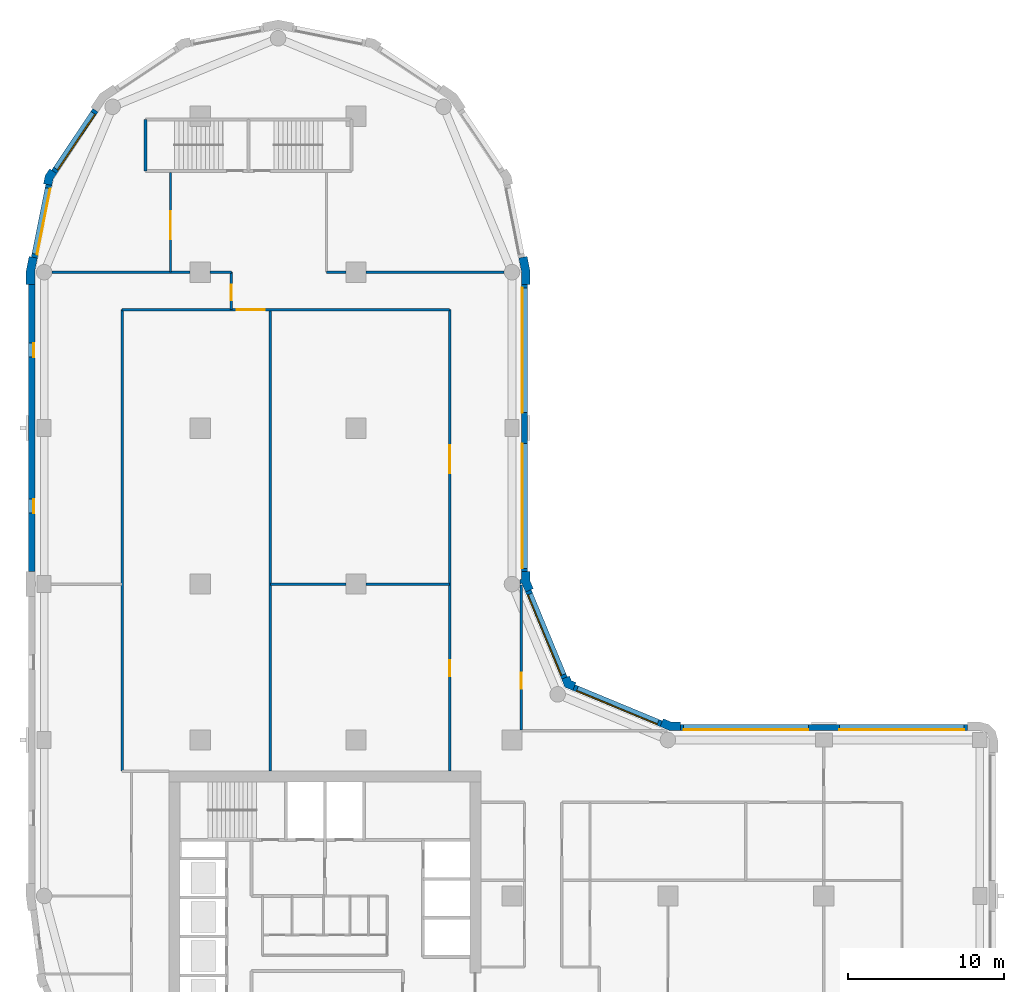
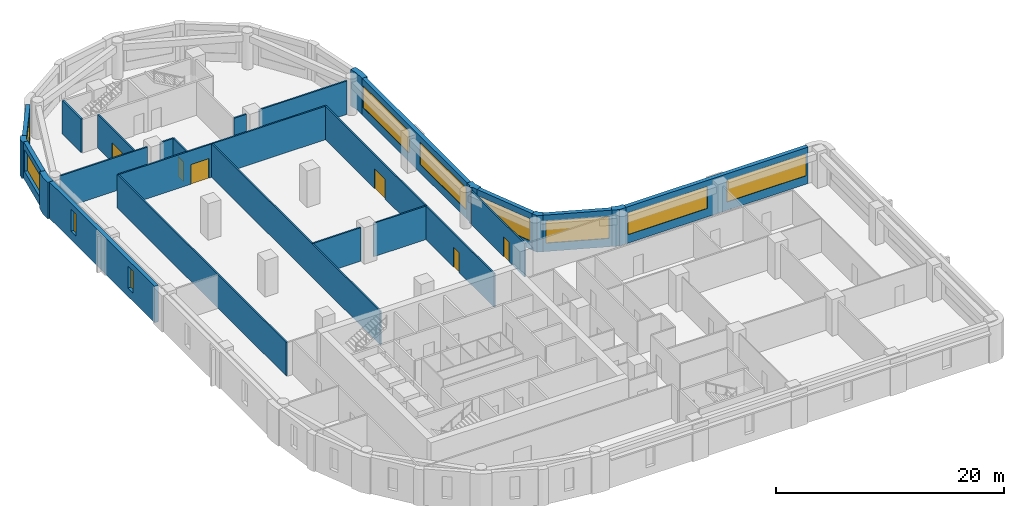
# One storey, part 6 of 10: 27 walls, 10 windows, 6 doors, 16 openings.
"""IFC4 building model written with IfcOpenShell, lengths in metres."""

from ifc_helpers import new_model, si_unit, direction, frame, frame_2d, origin, place, context, subcontext, project, spatial, polyline, rectangle, outline, extrude, material, layer, layer_set, type_object, element, fill, save


model = new_model("IFC4")

# Units and contexts
model_context = context("Model", 3, precision=1e-05, world=origin(), true_north=direction((0.0, 1.0)))
body_context = subcontext(model_context, "Body", "Model", "MODEL_VIEW")
ifc_project = project(units=[si_unit("LENGTHUNIT", "METRE"), si_unit("AREAUNIT", "SQUARE_METRE"), si_unit("VOLUMEUNIT", "CUBIC_METRE"), si_unit("PLANEANGLEUNIT", "RADIAN"), si_unit("MASSUNIT", "GRAM", prefix="KILO")], contexts=[model_context])

# Site, building, storey
site_placement = place(None, origin())
site = spatial("IfcSite", under=ifc_project, at=site_placement, CompositionType="ELEMENT")
building_placement = place(site_placement, origin())
building = spatial("IfcBuilding", under=site, at=building_placement, Name="Qaws Garden Tower", CompositionType="ELEMENT")
storey_placement = place(building_placement, frame((0.0, 0.0, 178.5)))
storey = spatial("IfcBuildingStorey", under=building, at=storey_placement, Name="L43", CompositionType="ELEMENT", Elevation=178.5)

# Wall, openings, windows
ifc_material_1 = material(Name="Clay facing brick masonry", Category="masonry")
ifc_layer_1 = layer(ifc_material_1, 0.39990234375)
ifc_layer_set_1 = layer_set([ifc_layer_1], Name="Clay facing brick masonry")
wall_type_1 = type_object("IfcWallType", Name="Brick infill wall 400", PredefinedType="SOLIDWALL", material=ifc_layer_set_1)
wall_1_placement = place(storey_placement, frame((59.199951171875, 30.800048828125, 0.0), z_axis=(0.0, 0.0, 1.0), x_axis=(-1.0, 0.0, 0.0)))
wall_1 = element("IfcWall", 1, at=wall_1_placement, inside=storey, type_object=wall_type_1, Name="E-L43-infill-07", PredefinedType="SOLIDWALL", context=body_context, shape_type="SweptSolid", body=[
    extrude(rectangle(XDim=18.39990234375, YDim=0.39990234375, at=frame_2d((9.199951171875, 0.0))), origin(), (0.0, 0.0, 1.0), 3.89990234375),
])
opening_1_placement = place(wall_1_placement, frame((0.199951171875, 0.0, 0.89990234375)))
opening_1 = element("IfcOpeningElement", 2, at=opening_1_placement, cuts=wall_1, Name="Opening W01", PredefinedType="OPENING", context=body_context, shape_type="SweptSolid", body=[
    extrude(rectangle(XDim=8.0, YDim=2.35009765625, at=frame_2d((4.0, 1.175048828125))), frame((0.0, 0.2099609375, 0.0), z_axis=(0.0, -1.0, 0.0), x_axis=(1.0, 0.0, 0.0)), (0.0, 0.0, 1.0), 0.419921875),
])
opening_2_placement = place(wall_1_placement, frame((10.199951171875, 0.0, 0.89990234375)))
opening_2 = element("IfcOpeningElement", 3, at=opening_2_placement, cuts=wall_1, Name="Opening W01", PredefinedType="OPENING", context=body_context, shape_type="SweptSolid", body=[
    extrude(rectangle(XDim=8.0, YDim=2.35009765625, at=frame_2d((4.0, 1.175048828125))), frame((0.0, 0.2099609375, 0.0), z_axis=(0.0, -1.0, 0.0), x_axis=(1.0, 0.0, 0.0)), (0.0, 0.0, 1.0), 0.419921875),
])
ifc_material_2 = material(Name="Aluminium framed window, clear glazing", Category="aluminium")
window_type_1 = type_object("IfcWindowType", Name="Ribbon window 8000 x 2350", PartitioningType="DOUBLE_PANEL_VERTICAL", PredefinedType="WINDOW", material=ifc_material_2)
window_1_placement = place(opening_1_placement, origin())
window_1 = element("IfcWindow", 4, at=window_1_placement, inside=storey, type_object=window_type_1, Name="E-L43-window-07-0", OverallHeight=2.35009765625, OverallWidth=8.0, PartitioningType="SINGLE_PANEL", PredefinedType="WINDOW", context=body_context, shape_type="SweptSolid", body=[
    extrude(rectangle(XDim=8.0, YDim=2.35009765625, at=frame_2d((4.0, 1.175048828125))), frame((0.0, 0.159912109375, 0.0), z_axis=(0.0, -1.0, 0.0), x_axis=(1.0, 0.0, 0.0)), (0.0, 0.0, 1.0), 0.06005859375),
])
fill(opening_1, window_1)
window_2_placement = place(opening_2_placement, origin())
window_2 = element("IfcWindow", 5, at=window_2_placement, inside=storey, type_object=window_type_1, Name="E-L43-window-08-0", OverallHeight=2.35009765625, OverallWidth=8.0, PartitioningType="SINGLE_PANEL", PredefinedType="WINDOW", context=body_context, shape_type="SweptSolid", body=[
    extrude(rectangle(XDim=8.0, YDim=2.35009765625, at=frame_2d((4.0, 1.175048828125))), frame((0.0, 0.159912109375, 0.0), z_axis=(0.0, -1.0, 0.0), x_axis=(1.0, 0.0, 0.0)), (0.0, 0.0, 1.0), 0.06005859375),
])
fill(opening_2, window_2)

# Wall, opening, window
wall_2_placement = place(storey_placement, frame((39.56689453125, 31.04541015625, 0.0), z_axis=(0.0, 0.0, 1.0), x_axis=(-0.923891000409, 0.382655745237, 0.0)))
wall_2 = element("IfcWall", 6, at=wall_2_placement, inside=storey, type_object=wall_type_1, Name="E-L43-infill-09", PredefinedType="SOLIDWALL", context=body_context, shape_type="SweptSolid", body=[
    extrude(rectangle(XDim=6.053466796875, YDim=0.39990234375, at=frame_2d((3.02685546875, 0.0))), origin(), (0.0, 0.0, 1.0), 3.89990234375),
])
opening_3_placement = place(wall_2_placement, frame((0.226806640625, 0.0, 0.89990234375)))
opening_3 = element("IfcOpeningElement", 7, at=opening_3_placement, cuts=wall_2, Name="Opening W04", PredefinedType="OPENING", context=body_context, shape_type="SweptSolid", body=[
    extrude(rectangle(XDim=5.60009765625, YDim=2.35009765625, at=frame_2d((2.800048828125, 1.175048828125))), frame((0.0, 0.2099609375, 0.0), z_axis=(0.0, -1.0, 0.0), x_axis=(1.0, 0.0, 0.0)), (0.0, 0.0, 1.0), 0.419921875),
])
ifc_material_3 = material(Name="Aluminium framed window, clear glazing", Category="aluminium")
window_type_2 = type_object("IfcWindowType", Name="Ribbon window 5600 x 2350", PartitioningType="DOUBLE_PANEL_VERTICAL", PredefinedType="WINDOW", material=ifc_material_3)
window_3_placement = place(opening_3_placement, origin())
window_3 = element("IfcWindow", 8, at=window_3_placement, inside=storey, type_object=window_type_2, Name="E-L43-window-09-0", OverallHeight=2.35009765625, OverallWidth=5.60009765625, PartitioningType="SINGLE_PANEL", PredefinedType="WINDOW", context=body_context, shape_type="SweptSolid", body=[
    extrude(rectangle(XDim=5.60009765625, YDim=2.35009765625, at=frame_2d((2.800048828125, 1.175048828125))), frame((0.0, 0.159912109375, 0.0), z_axis=(0.0, -1.0, 0.0), x_axis=(1.0, 0.0, 0.0)), (0.0, 0.0, 1.0), 0.06005859375),
])
fill(opening_3, window_3)

wall_3_placement = place(storey_placement, frame((33.36181640625, 33.97412109375, 0.0), z_axis=(0.0, 0.0, 1.0), x_axis=(-0.382655745237, 0.923891000409, 0.0)))
wall_3 = element("IfcWall", 9, at=wall_3_placement, inside=storey, type_object=wall_type_1, Name="E-L43-infill-10", PredefinedType="SOLIDWALL", context=body_context, shape_type="SweptSolid", body=[
    extrude(rectangle(XDim=6.053466796875, YDim=0.39990234375, at=frame_2d((3.02685546875, 0.0))), origin(), (0.0, 0.0, 1.0), 3.89990234375),
])
opening_4_placement = place(wall_3_placement, frame((0.226806640625, 0.0, 0.89990234375)))
opening_4 = element("IfcOpeningElement", 10, at=opening_4_placement, cuts=wall_3, Name="Opening W04", PredefinedType="OPENING", context=body_context, shape_type="SweptSolid", body=[
    extrude(rectangle(XDim=5.60009765625, YDim=2.35009765625, at=frame_2d((2.800048828125, 1.175048828125))), frame((0.0, 0.2099609375, 0.0), z_axis=(0.0, -1.0, 0.0), x_axis=(1.0, 0.0, 0.0)), (0.0, 0.0, 1.0), 0.419921875),
])
window_4_placement = place(opening_4_placement, origin())
window_4 = element("IfcWindow", 11, at=window_4_placement, inside=storey, type_object=window_type_2, Name="E-L43-window-10-0", OverallHeight=2.35009765625, OverallWidth=5.60009765625, PartitioningType="SINGLE_PANEL", PredefinedType="WINDOW", context=body_context, shape_type="SweptSolid", body=[
    extrude(rectangle(XDim=5.60009765625, YDim=2.35009765625, at=frame_2d((2.800048828125, 1.175048828125))), frame((0.0, 0.159912109375, 0.0), z_axis=(0.0, -1.0, 0.0), x_axis=(1.0, 0.0, 0.0)), (0.0, 0.0, 1.0), 0.06005859375),
])
fill(opening_4, window_4)

# Wall, openings, windows
wall_4_placement = place(storey_placement, frame((30.800048828125, 40.800048828125, 0.0), z_axis=(0.0, 0.0, 1.0), x_axis=(0.0, 1.0, 0.0)))
wall_4 = element("IfcWall", 12, at=wall_4_placement, inside=storey, type_object=wall_type_1, Name="E-L43-infill-11", PredefinedType="SOLIDWALL", context=body_context, shape_type="SweptSolid", body=[
    extrude(rectangle(XDim=18.39990234375, YDim=0.39990234375, at=frame_2d((9.199951171875, 0.0))), origin(), (0.0, 0.0, 1.0), 3.89990234375),
])
opening_5_placement = place(wall_4_placement, frame((0.199951171875, 0.0, 0.89990234375)))
opening_5 = element("IfcOpeningElement", 13, at=opening_5_placement, cuts=wall_4, Name="Opening W01", PredefinedType="OPENING", context=body_context, shape_type="SweptSolid", body=[
    extrude(rectangle(XDim=8.0, YDim=2.35009765625, at=frame_2d((4.0, 1.175048828125))), frame((0.0, 0.2099609375, 0.0), z_axis=(0.0, -1.0, 0.0), x_axis=(1.0, 0.0, 0.0)), (0.0, 0.0, 1.0), 0.419921875),
])
opening_6_placement = place(wall_4_placement, frame((10.199951171875, 0.0, 0.89990234375)))
opening_6 = element("IfcOpeningElement", 14, at=opening_6_placement, cuts=wall_4, Name="Opening W01", PredefinedType="OPENING", context=body_context, shape_type="SweptSolid", body=[
    extrude(rectangle(XDim=8.0, YDim=2.35009765625, at=frame_2d((4.0, 1.175048828125))), frame((0.0, 0.2099609375, 0.0), z_axis=(0.0, -1.0, 0.0), x_axis=(1.0, 0.0, 0.0)), (0.0, 0.0, 1.0), 0.419921875),
])
window_5_placement = place(opening_5_placement, origin())
window_5 = element("IfcWindow", 15, at=window_5_placement, inside=storey, type_object=window_type_1, Name="E-L43-window-11-0", OverallHeight=2.35009765625, OverallWidth=8.0, PartitioningType="SINGLE_PANEL", PredefinedType="WINDOW", context=body_context, shape_type="SweptSolid", body=[
    extrude(rectangle(XDim=8.0, YDim=2.35009765625, at=frame_2d((4.0, 1.175048828125))), frame((0.0, 0.159912109375, 0.0), z_axis=(0.0, -1.0, 0.0), x_axis=(1.0, 0.0, 0.0)), (0.0, 0.0, 1.0), 0.06005859375),
])
fill(opening_5, window_5)
window_6_placement = place(opening_6_placement, origin())
window_6 = element("IfcWindow", 16, at=window_6_placement, inside=storey, type_object=window_type_1, Name="E-L43-window-12-0", OverallHeight=2.35009765625, OverallWidth=8.0, PartitioningType="SINGLE_PANEL", PredefinedType="WINDOW", context=body_context, shape_type="SweptSolid", body=[
    extrude(rectangle(XDim=8.0, YDim=2.35009765625, at=frame_2d((4.0, 1.175048828125))), frame((0.0, 0.159912109375, 0.0), z_axis=(0.0, -1.0, 0.0), x_axis=(1.0, 0.0, 0.0)), (0.0, 0.0, 1.0), 0.06005859375),
])
fill(opening_6, window_6)

# Wall, opening, window
wall_5_placement = place(storey_placement, frame((3.28369140625, 70.385986328125, 0.0), z_axis=(0.0, 0.0, 1.0), x_axis=(-0.555541552266, -0.831488775454, 0.0)))
wall_5 = element("IfcWall", 17, at=wall_5_placement, inside=storey, type_object=wall_type_1, Name="E-L43-infill-19", PredefinedType="SOLIDWALL", context=body_context, shape_type="SweptSolid", body=[
    extrude(rectangle(XDim=4.752685546875, YDim=0.39990234375, at=frame_2d((2.37646484375, 0.0))), origin(), (0.0, 0.0, 1.0), 3.89990234375),
])
opening_7_placement = place(wall_5_placement, frame((0.226318359375, 0.0, 0.89990234375)))
opening_7 = element("IfcOpeningElement", 18, at=opening_7_placement, cuts=wall_5, Name="Opening W06", PredefinedType="OPENING", context=body_context, shape_type="SweptSolid", body=[
    extrude(rectangle(XDim=4.300048828125, YDim=2.35009765625, at=frame_2d((2.14990234375, 1.175048828125))), frame((0.0, 0.2099609375, 0.0), z_axis=(0.0, -1.0, 0.0), x_axis=(1.0, 0.0, 0.0)), (0.0, 0.0, 1.0), 0.419921875),
])
ifc_material_4 = material(Name="Aluminium framed window, clear glazing", Category="aluminium")
window_type_3 = type_object("IfcWindowType", Name="Ribbon window 4300 x 2350", PartitioningType="DOUBLE_PANEL_VERTICAL", PredefinedType="WINDOW", material=ifc_material_4)
window_7_placement = place(opening_7_placement, origin())
window_7 = element("IfcWindow", 19, at=window_7_placement, inside=storey, type_object=window_type_3, Name="E-L43-window-19-0", OverallHeight=2.35009765625, OverallWidth=4.300048828125, PartitioningType="SINGLE_PANEL", PredefinedType="WINDOW", context=body_context, shape_type="SweptSolid", body=[
    extrude(rectangle(XDim=4.300048828125, YDim=2.35009765625, at=frame_2d((2.14990234375, 1.175048828125))), frame((0.0, 0.159912109375, 0.0), z_axis=(0.0, -1.0, 0.0), x_axis=(1.0, 0.0, 0.0)), (0.0, 0.0, 1.0), 0.06005859375),
])
fill(opening_7, window_7)

wall_6_placement = place(storey_placement, frame((0.298583984375, 65.60205078125, 0.0), z_axis=(0.0, 0.0, 1.0), x_axis=(-0.195098533057, -0.98078364709, 0.0)))
wall_6 = element("IfcWall", 20, at=wall_6_placement, inside=storey, type_object=wall_type_1, Name="E-L43-infill-20", PredefinedType="SOLIDWALL", context=body_context, shape_type="SweptSolid", body=[
    extrude(rectangle(XDim=4.752685546875, YDim=0.39990234375, at=frame_2d((2.37646484375, 0.0))), origin(), (0.0, 0.0, 1.0), 3.89990234375),
])
opening_8_placement = place(wall_6_placement, frame((0.226318359375, 0.0, 0.89990234375)))
opening_8 = element("IfcOpeningElement", 21, at=opening_8_placement, cuts=wall_6, Name="Opening W06", PredefinedType="OPENING", context=body_context, shape_type="SweptSolid", body=[
    extrude(rectangle(XDim=4.300048828125, YDim=2.35009765625, at=frame_2d((2.14990234375, 1.175048828125))), frame((0.0, 0.2099609375, 0.0), z_axis=(0.0, -1.0, 0.0), x_axis=(1.0, 0.0, 0.0)), (0.0, 0.0, 1.0), 0.419921875),
])
window_8_placement = place(opening_8_placement, origin())
window_8 = element("IfcWindow", 22, at=window_8_placement, inside=storey, type_object=window_type_3, Name="E-L43-window-20-0", OverallHeight=2.35009765625, OverallWidth=4.300048828125, PartitioningType="SINGLE_PANEL", PredefinedType="WINDOW", context=body_context, shape_type="SweptSolid", body=[
    extrude(rectangle(XDim=4.300048828125, YDim=2.35009765625, at=frame_2d((2.14990234375, 1.175048828125))), frame((0.0, 0.159912109375, 0.0), z_axis=(0.0, -1.0, 0.0), x_axis=(1.0, 0.0, 0.0)), (0.0, 0.0, 1.0), 0.06005859375),
])
fill(opening_8, window_8)

# Wall, openings, windows
wall_7_placement = place(storey_placement, frame((-0.800048828125, 59.199951171875, 0.0), z_axis=(0.0, 0.0, 1.0), x_axis=(0.0, -1.0, 0.0)))
wall_7 = element("IfcWall", 23, at=wall_7_placement, inside=storey, type_object=wall_type_1, Name="E-L43-infill-21", PredefinedType="SOLIDWALL", context=body_context, shape_type="SweptSolid", body=[
    extrude(rectangle(XDim=18.39990234375, YDim=0.39990234375, at=frame_2d((9.199951171875, 0.0))), origin(), (0.0, 0.0, 1.0), 3.89990234375),
])
opening_9_placement = place(wall_7_placement, frame((3.75, 0.0, 0.89990234375)))
opening_9 = element("IfcOpeningElement", 24, at=opening_9_placement, cuts=wall_7, Name="Opening W09", PredefinedType="OPENING", context=body_context, shape_type="SweptSolid", body=[
    extrude(rectangle(XDim=0.89990234375, YDim=2.35009765625, at=frame_2d((0.449951171875, 1.175048828125))), frame((0.0, 0.2099609375, 0.0), z_axis=(0.0, -1.0, 0.0), x_axis=(1.0, 0.0, 0.0)), (0.0, 0.0, 1.0), 0.419921875),
])
opening_10_placement = place(wall_7_placement, frame((13.75, 0.0, 0.89990234375)))
opening_10 = element("IfcOpeningElement", 25, at=opening_10_placement, cuts=wall_7, Name="Opening W09", PredefinedType="OPENING", context=body_context, shape_type="SweptSolid", body=[
    extrude(rectangle(XDim=0.89990234375, YDim=2.35009765625, at=frame_2d((0.449951171875, 1.175048828125))), frame((0.0, 0.2099609375, 0.0), z_axis=(0.0, -1.0, 0.0), x_axis=(1.0, 0.0, 0.0)), (0.0, 0.0, 1.0), 0.419921875),
])
ifc_material_5 = material(Name="Aluminium framed window, clear glazing", Category="aluminium")
window_type_4 = type_object("IfcWindowType", Name="Slit window 900 x 2350", PartitioningType="SINGLE_PANEL", PredefinedType="WINDOW", material=ifc_material_5)
window_9_placement = place(opening_9_placement, origin())
window_9 = element("IfcWindow", 26, at=window_9_placement, inside=storey, type_object=window_type_4, Name="E-L43-window-21-0", OverallHeight=2.35009765625, OverallWidth=0.89990234375, PartitioningType="SINGLE_PANEL", PredefinedType="WINDOW", context=body_context, shape_type="SweptSolid", body=[
    extrude(rectangle(XDim=0.89990234375, YDim=2.35009765625, at=frame_2d((0.449951171875, 1.175048828125))), frame((0.0, 0.159912109375, 0.0), z_axis=(0.0, -1.0, 0.0), x_axis=(1.0, 0.0, 0.0)), (0.0, 0.0, 1.0), 0.06005859375),
])
fill(opening_9, window_9)
window_10_placement = place(opening_10_placement, origin())
window_10 = element("IfcWindow", 27, at=window_10_placement, inside=storey, type_object=window_type_4, Name="E-L43-window-22-0", OverallHeight=2.35009765625, OverallWidth=0.89990234375, PartitioningType="SINGLE_PANEL", PredefinedType="WINDOW", context=body_context, shape_type="SweptSolid", body=[
    extrude(rectangle(XDim=0.89990234375, YDim=2.35009765625, at=frame_2d((0.449951171875, 1.175048828125))), frame((0.0, 0.159912109375, 0.0), z_axis=(0.0, -1.0, 0.0), x_axis=(1.0, 0.0, 0.0)), (0.0, 0.0, 1.0), 0.06005859375),
])
fill(opening_10, window_10)

# Walls
ifc_material_6 = material(Name="Clay facing brick masonry", Category="masonry")
ifc_layer_2 = layer(ifc_material_6, 0.550048828125)
ifc_layer_set_2 = layer_set([ifc_layer_2], Name="Clay facing brick masonry")
wall_type_2 = type_object("IfcWallType", Name="Brick kink pier 550 x 600", PredefinedType="SOLIDWALL", material=ifc_layer_set_2)
placement = place(storey_placement, origin())
element("IfcWall", 28, at=placement, inside=storey, type_object=wall_type_2, Name="E-L43-pier-20", PredefinedType="SOLIDWALL", context=body_context, shape_type="SweptSolid", body=[
    extrude(outline(polyline([(0.47705078125, 66.545166015625), (0.352294921875, 66.628662109375), (0.05859375, 66.18896484375), (-0.044677734375, 65.67041015625), (0.1025390625, 65.64111328125), (0.494873046875, 65.56298828125), (0.57666015625, 65.974365234375), (0.8095703125, 66.322998046875), (0.47705078125, 66.545166015625)])), origin(), (0.0, 0.0, 1.0), 3.89990234375),
])
ifc_material_7 = material(Name="Clay facing brick masonry", Category="masonry")
ifc_layer_3 = layer(ifc_material_7, 0.550048828125)
ifc_layer_set_3 = layer_set([ifc_layer_3], Name="Clay facing brick masonry")
wall_type_3 = type_object("IfcWallType", Name="Brick pier 550 x 1600", PredefinedType="SOLIDWALL", material=ifc_layer_set_3)
element("IfcWall", 29, at=placement, inside=storey, type_object=wall_type_3, Name="E-L43-pier-09", PredefinedType="SOLIDWALL", context=body_context, shape_type="SweptSolid", body=[
    extrude(outline(polyline([(40.800048828125, 31.0), (40.800048828125, 31.14990234375), (40.228759765625, 31.14990234375), (39.700927734375, 31.36865234375), (39.6435546875, 31.22998046875), (39.490478515625, 30.860595703125), (40.119384765625, 30.60009765625), (40.800048828125, 30.60009765625), (40.800048828125, 31.0)])), origin(), (0.0, 0.0, 1.0), 3.89990234375),
])
element("IfcWall", 30, at=placement, inside=storey, type_object=wall_type_3, Name="E-L43-pier-10", PredefinedType="SOLIDWALL", context=body_context, shape_type="SweptSolid", body=[
    extrude(outline(polyline([(34.05078125, 33.546630859375), (34.108154296875, 33.685302734375), (33.80908203125, 33.80908203125), (33.685302734375, 34.108154296875), (33.546630859375, 34.05078125), (33.177001953125, 33.897705078125), (33.38818359375, 33.38818359375), (33.897705078125, 33.177001953125), (34.05078125, 33.546630859375)])), origin(), (0.0, 0.0, 1.0), 3.89990234375),
])
element("IfcWall", 31, at=placement, inside=storey, type_object=wall_type_3, Name="E-L43-pier-11", PredefinedType="SOLIDWALL", context=body_context, shape_type="SweptSolid", body=[
    extrude(outline(polyline([(30.6201171875, 39.995361328125), (30.6201171875, 40.071044921875), (30.860595703125, 39.490478515625), (31.22998046875, 39.6435546875), (31.36865234375, 39.700927734375), (31.14990234375, 40.228759765625), (31.14990234375, 40.800048828125), (31.0, 40.800048828125), (30.60009765625, 40.800048828125), (30.60009765625, 40.29541015625), (30.5, 40.29541015625), (30.5, 39.995361328125), (30.6201171875, 39.995361328125)])), origin(), (0.0, 0.0, 1.0), 3.89990234375),
])
element("IfcWall", 32, at=placement, inside=storey, type_object=wall_type_3, Name="E-L43-pier-13", PredefinedType="SOLIDWALL", context=body_context, shape_type="SweptSolid", body=[
    extrude(outline(polyline([(31.0, 59.199951171875), (31.14990234375, 59.199951171875), (31.14990234375, 60.11328125), (30.971923828125, 61.009033203125), (30.82470703125, 60.979736328125), (30.432373046875, 60.901611328125), (30.60009765625, 60.05908203125), (30.60009765625, 59.199951171875), (31.0, 59.199951171875)])), origin(), (0.0, 0.0, 1.0), 3.89990234375),
])
element("IfcWall", 33, at=placement, inside=storey, type_object=wall_type_3, Name="E-L43-pier-21", PredefinedType="SOLIDWALL", context=body_context, shape_type="SweptSolid", body=[
    extrude(outline(polyline([(-0.82470703125, 60.979736328125), (-0.971923828125, 61.009033203125), (-1.14990234375, 60.11328125), (-1.14990234375, 59.199951171875), (-1.0, 59.199951171875), (-0.60009765625, 59.199951171875), (-0.60009765625, 60.05908203125), (-0.432373046875, 60.901611328125), (-0.82470703125, 60.979736328125)])), origin(), (0.0, 0.0, 1.0), 3.89990234375),
])
ifc_material_8 = material(Name="Concrete C70", Category="concrete")
ifc_layer_4 = layer(ifc_material_8, 0.199951171875)
ifc_layer_set_4 = layer_set([ifc_layer_4], Name="Concrete C70")
wall_type_4 = type_object("IfcWallType", Name="Core shaft wall 200 C70", PredefinedType="SHEAR", material=ifc_layer_set_4)
wall_14_placement = place(storey_placement, frame((6.5, 66.5, 0.0), z_axis=(0.0, 0.0, 1.0), x_axis=(0.0, 1.0, 0.0)))
element("IfcWall", 34, at=wall_14_placement, inside=storey, type_object=wall_type_4, Name="Shaft wall", PredefinedType="SHEAR", context=body_context, shape_type="SweptSolid", body=[
    extrude(rectangle(XDim=3.300048828125, YDim=0.199951171875, at=frame_2d((1.64990234375, 0.0))), origin(), (0.0, 0.0, 1.0), 3.580078125),
])
ifc_material_9 = material(Name="Gypsum board partition")
ifc_layer_5 = layer(ifc_material_9, 0.14990234375)
ifc_layer_set_5 = layer_set([ifc_layer_5], Name="Gypsum board partition")
wall_type_5 = type_object("IfcWallType", Name="PARTITION 150 EI 60", PredefinedType="PARTITIONING", material=ifc_layer_set_5)
wall_15_placement = place(storey_placement, frame((5.0, 28.0, 0.0), z_axis=(0.0, 0.0, 1.0), x_axis=(0.0, 1.0, 0.0)))
element("IfcWall", 35, at=wall_15_placement, inside=storey, type_object=wall_type_5, Name="O-L43-wall-008", PredefinedType="PARTITIONING", context=body_context, shape_type="SweptSolid", body=[
    extrude(rectangle(XDim=29.60009765625, YDim=0.14990234375, at=frame_2d((14.800048828125, 0.0))), origin(), (0.0, 0.0, 1.0), 3.580078125),
])

# Wall, opening, door
wall_16_placement = place(storey_placement, frame((8.10009765625, 60.0, 0.0), z_axis=(0.0, 0.0, 1.0), x_axis=(0.0, 1.0, 0.0)))
wall_16 = element("IfcWall", 36, at=wall_16_placement, inside=storey, type_object=wall_type_5, Name="O-L43-wall-010", PredefinedType="PARTITIONING", context=body_context, shape_type="SweptSolid", body=[
    extrude(rectangle(XDim=6.39990234375, YDim=0.14990234375, at=frame_2d((3.199951171875, 0.0))), origin(), (0.0, 0.0, 1.0), 3.580078125),
])
opening_11_placement = place(wall_16_placement, frame((2.10009765625, 0.0, 0.0)))
opening_11 = element("IfcOpeningElement", 37, at=opening_11_placement, cuts=wall_16, Name="Opening B513", PredefinedType="OPENING", context=body_context, shape_type="SweptSolid", body=[
    extrude(rectangle(XDim=1.800048828125, YDim=2.10009765625, at=frame_2d((0.89990234375, 1.050048828125))), frame((0.0, 0.0849609375, 0.0), z_axis=(0.0, -1.0, 0.0), x_axis=(1.0, 0.0, 0.0)), (0.0, 0.0, 1.0), 0.169921875),
])
ifc_material_10 = material(Name="Timber door leaf", Category="wood")
door_type_1 = type_object("IfcDoorType", Name="DOUBLE DOOR 1800 X 2100", OperationType="DOUBLE_DOOR_SINGLE_SWING", PredefinedType="DOOR", material=ifc_material_10)
door_1_placement = place(opening_11_placement, origin())
door_1 = element("IfcDoor", 38, at=door_1_placement, inside=storey, type_object=door_type_1, Name="O-L43-door-013", OperationType="DOUBLE_DOOR_SINGLE_SWING", OverallHeight=2.10009765625, OverallWidth=1.800048828125, PredefinedType="DOOR", context=body_context, shape_type="SweptSolid", body=[
    extrude(rectangle(XDim=1.800048828125, YDim=2.10009765625, at=frame_2d((0.89990234375, 1.050048828125))), frame((0.0, 0.02490234375, 0.0), z_axis=(0.0, -1.0, 0.0), x_axis=(1.0, 0.0, 0.0)), (0.0, 0.0, 1.0), 0.050048828125),
])
fill(opening_11, door_1)

wall_17_placement = place(storey_placement, frame((12.0, 57.60009765625, 0.0), z_axis=(0.0, 0.0, 1.0), x_axis=(0.0, 1.0, 0.0)))
wall_17 = element("IfcWall", 39, at=wall_17_placement, inside=storey, type_object=wall_type_5, Name="O-L43-wall-011", PredefinedType="PARTITIONING", context=body_context, shape_type="SweptSolid", body=[
    extrude(rectangle(XDim=2.39990234375, YDim=0.14990234375, at=frame_2d((1.199951171875, 0.0))), origin(), (0.0, 0.0, 1.0), 3.580078125),
])
opening_12_placement = place(wall_17_placement, frame((0.60009765625, 0.0, 0.0)))
opening_12 = element("IfcOpeningElement", 40, at=opening_12_placement, cuts=wall_17, Name="Opening B512", PredefinedType="OPENING", context=body_context, shape_type="SweptSolid", body=[
    extrude(rectangle(XDim=1.0, YDim=2.10009765625, at=frame_2d((0.5, 1.050048828125))), frame((0.0, 0.0849609375, 0.0), z_axis=(0.0, -1.0, 0.0), x_axis=(1.0, 0.0, 0.0)), (0.0, 0.0, 1.0), 0.169921875),
])
ifc_material_11 = material(Name="Timber door leaf", Category="wood")
door_type_2 = type_object("IfcDoorType", Name="TENANCY ENTRANCE DOOR 1000 X 2100", OperationType="SINGLE_SWING_LEFT", PredefinedType="DOOR", material=ifc_material_11)
door_2_placement = place(opening_12_placement, origin())
door_2 = element("IfcDoor", 41, at=door_2_placement, inside=storey, type_object=door_type_2, Name="O-L43-door-012", OperationType="SINGLE_SWING_LEFT", OverallHeight=2.10009765625, OverallWidth=1.0, PredefinedType="DOOR", context=body_context, shape_type="SweptSolid", body=[
    extrude(rectangle(XDim=1.0, YDim=2.10009765625, at=frame_2d((0.5, 1.050048828125))), frame((0.0, 0.02490234375, 0.0), z_axis=(0.0, -1.0, 0.0), x_axis=(1.0, 0.0, 0.0)), (0.0, 0.0, 1.0), 0.050048828125),
])
fill(opening_12, door_2)

# Wall
wall_18_placement = place(storey_placement, frame((14.5, 28.0, 0.0), z_axis=(0.0, 0.0, 1.0), x_axis=(0.0, 1.0, 0.0)))
element("IfcWall", 42, at=wall_18_placement, inside=storey, type_object=wall_type_5, Name="O-L43-wall-012", PredefinedType="PARTITIONING", context=body_context, shape_type="SweptSolid", body=[
    extrude(rectangle(XDim=29.60009765625, YDim=0.14990234375, at=frame_2d((14.800048828125, 0.0))), origin(), (0.0, 0.0, 1.0), 3.580078125),
])

# Wall, openings, doors
wall_19_placement = place(storey_placement, frame((26.0, 28.0, 0.0), z_axis=(0.0, 0.0, 1.0), x_axis=(0.0, 1.0, 0.0)))
wall_19 = element("IfcWall", 43, at=wall_19_placement, inside=storey, type_object=wall_type_5, Name="O-L43-wall-014", PredefinedType="PARTITIONING", context=body_context, shape_type="SweptSolid", body=[
    extrude(rectangle(XDim=29.60009765625, YDim=0.14990234375, at=frame_2d((14.800048828125, 0.0))), origin(), (0.0, 0.0, 1.0), 3.580078125),
])
opening_13_placement = place(wall_19_placement, frame((6.10009765625, 0.0, 0.0)))
opening_13 = element("IfcOpeningElement", 44, at=opening_13_placement, cuts=wall_19, Name="Opening B507", PredefinedType="OPENING", context=body_context, shape_type="SweptSolid", body=[
    extrude(rectangle(XDim=1.0, YDim=2.10009765625, at=frame_2d((0.5, 1.050048828125))), frame((0.0, 0.0849609375, 0.0), z_axis=(0.0, -1.0, 0.0), x_axis=(1.0, 0.0, 0.0)), (0.0, 0.0, 1.0), 0.169921875),
])
opening_14_placement = place(wall_19_placement, frame((19.10009765625, 0.0, 0.0)))
opening_14 = element("IfcOpeningElement", 45, at=opening_14_placement, cuts=wall_19, Name="Opening B508", PredefinedType="OPENING", context=body_context, shape_type="SweptSolid", body=[
    extrude(rectangle(XDim=1.800048828125, YDim=2.10009765625, at=frame_2d((0.89990234375, 1.050048828125))), frame((0.0, 0.0849609375, 0.0), z_axis=(0.0, -1.0, 0.0), x_axis=(1.0, 0.0, 0.0)), (0.0, 0.0, 1.0), 0.169921875),
])
door_3_placement = place(opening_14_placement, origin())
door_3 = element("IfcDoor", 46, at=door_3_placement, inside=storey, type_object=door_type_1, Name="O-L43-door-008", OperationType="DOUBLE_DOOR_SINGLE_SWING", OverallHeight=2.10009765625, OverallWidth=1.800048828125, PredefinedType="DOOR", context=body_context, shape_type="SweptSolid", body=[
    extrude(rectangle(XDim=1.800048828125, YDim=2.10009765625, at=frame_2d((0.89990234375, 1.050048828125))), frame((0.0, 0.02490234375, 0.0), z_axis=(0.0, -1.0, 0.0), x_axis=(1.0, 0.0, 0.0)), (0.0, 0.0, 1.0), 0.050048828125),
])
fill(opening_14, door_3)
door_4_placement = place(opening_13_placement, origin())
door_4 = element("IfcDoor", 47, at=door_4_placement, inside=storey, type_object=door_type_2, Name="O-L43-door-007", OperationType="SINGLE_SWING_RIGHT", OverallHeight=2.10009765625, OverallWidth=1.0, PredefinedType="DOOR", context=body_context, shape_type="SweptSolid", body=[
    extrude(rectangle(XDim=1.0, YDim=2.10009765625, at=frame_2d((0.5, 1.050048828125))), frame((0.0, 0.02490234375, 0.0), z_axis=(0.0, -1.0, 0.0), x_axis=(1.0, 0.0, 0.0)), (0.0, 0.0, 1.0), 0.050048828125),
])
fill(opening_13, door_4)

# Wall, opening, door
wall_20_placement = place(storey_placement, frame((30.60009765625, 30.64990234375, 0.0), z_axis=(0.0, 0.0, 1.0), x_axis=(0.0, 1.0, 0.0)))
wall_20 = element("IfcWall", 48, at=wall_20_placement, inside=storey, type_object=wall_type_5, Name="O-L43-wall-015", PredefinedType="PARTITIONING", context=body_context, shape_type="SweptSolid", body=[
    extrude(rectangle(XDim=9.288330078125, YDim=0.14990234375, at=frame_2d((4.64404296875, 0.0))), origin(), (0.0, 0.0, 1.0), 3.580078125),
])
opening_15_placement = place(wall_20_placement, frame((2.64990234375, 0.0, 0.0)))
opening_15 = element("IfcOpeningElement", 49, at=opening_15_placement, cuts=wall_20, Name="Opening B514", PredefinedType="OPENING", context=body_context, shape_type="SweptSolid", body=[
    extrude(rectangle(XDim=1.0, YDim=2.10009765625, at=frame_2d((0.5, 1.050048828125))), frame((0.0, 0.0849609375, 0.0), z_axis=(0.0, -1.0, 0.0), x_axis=(1.0, 0.0, 0.0)), (0.0, 0.0, 1.0), 0.169921875),
])
door_5_placement = place(opening_15_placement, frame((1.0, 0.0, 0.0), z_axis=(0.0, 0.0, 1.0), x_axis=(-1.0, 0.0, 0.0)))
door_5 = element("IfcDoor", 50, at=door_5_placement, inside=storey, type_object=door_type_2, Name="O-L43-door-014", OperationType="SINGLE_SWING_LEFT", OverallHeight=2.10009765625, OverallWidth=1.0, PredefinedType="DOOR", context=body_context, shape_type="SweptSolid", body=[
    extrude(rectangle(XDim=1.0, YDim=2.10009765625, at=frame_2d((0.5, 1.050048828125))), frame((0.0, 0.02490234375, 0.0), z_axis=(0.0, -1.0, 0.0), x_axis=(1.0, 0.0, 0.0)), (0.0, 0.0, 1.0), 0.050048828125),
])
fill(opening_15, door_5)

# Walls
wall_21_placement = place(storey_placement, frame((14.5, 40.0, 0.0), z_axis=(0.0, 0.0, 1.0), x_axis=(1.0, 0.0, 0.0)))
element("IfcWall", 51, at=wall_21_placement, inside=storey, type_object=wall_type_5, Name="O-L43-wall-047", PredefinedType="PARTITIONING", context=body_context, shape_type="SweptSolid", body=[
    extrude(rectangle(XDim=4.85009765625, YDim=0.14990234375, at=frame_2d((2.425048828125, 0.0))), origin(), (0.0, 0.0, 1.0), 3.580078125),
])
wall_22_placement = place(storey_placement, frame((20.64990234375, 40.0, 0.0), z_axis=(0.0, 0.0, 1.0), x_axis=(1.0, 0.0, 0.0)))
element("IfcWall", 52, at=wall_22_placement, inside=storey, type_object=wall_type_5, Name="O-L43-wall-048", PredefinedType="PARTITIONING", context=body_context, shape_type="SweptSolid", body=[
    extrude(rectangle(XDim=5.35009765625, YDim=0.14990234375, at=frame_2d((2.675048828125, 0.0))), origin(), (0.0, 0.0, 1.0), 3.580078125),
])

# Wall, opening, door
wall_23_placement = place(storey_placement, frame((5.0, 57.60009765625, 0.0), z_axis=(0.0, 0.0, 1.0), x_axis=(1.0, 0.0, 0.0)))
wall_23 = element("IfcWall", 53, at=wall_23_placement, inside=storey, type_object=wall_type_5, Name="O-L43-wall-049", PredefinedType="PARTITIONING", context=body_context, shape_type="SweptSolid", body=[
    extrude(rectangle(XDim=21.0, YDim=0.14990234375, at=frame_2d((10.5, 0.0))), origin(), (0.0, 0.0, 1.0), 3.580078125),
])
opening_16_placement = place(wall_23_placement, frame((7.35009765625, 0.0, 0.0)))
opening_16 = element("IfcOpeningElement", 54, at=opening_16_placement, cuts=wall_23, Name="Opening B510", PredefinedType="OPENING", context=body_context, shape_type="SweptSolid", body=[
    extrude(rectangle(XDim=1.800048828125, YDim=2.10009765625, at=frame_2d((0.89990234375, 1.050048828125))), frame((0.0, 0.0849609375, 0.0), z_axis=(0.0, -1.0, 0.0), x_axis=(1.0, 0.0, 0.0)), (0.0, 0.0, 1.0), 0.169921875),
])
door_6_placement = place(opening_16_placement, frame((1.800048828125, 0.0, 0.0), z_axis=(0.0, 0.0, 1.0), x_axis=(-1.0, 0.0, 0.0)))
door_6 = element("IfcDoor", 55, at=door_6_placement, inside=storey, type_object=door_type_1, Name="O-L43-door-010", OperationType="DOUBLE_DOOR_SINGLE_SWING", OverallHeight=2.10009765625, OverallWidth=1.800048828125, PredefinedType="DOOR", context=body_context, shape_type="SweptSolid", body=[
    extrude(rectangle(XDim=1.800048828125, YDim=2.10009765625, at=frame_2d((0.89990234375, 1.050048828125))), frame((0.0, 0.02490234375, 0.0), z_axis=(0.0, -1.0, 0.0), x_axis=(1.0, 0.0, 0.0)), (0.0, 0.0, 1.0), 0.050048828125),
])
fill(opening_16, door_6)

# Walls
wall_24_placement = place(storey_placement, frame((0.5, 60.0, 0.0), z_axis=(0.0, 0.0, 1.0), x_axis=(1.0, 0.0, 0.0)))
element("IfcWall", 56, at=wall_24_placement, inside=storey, type_object=wall_type_5, Name="O-L43-wall-050", PredefinedType="PARTITIONING", context=body_context, shape_type="SweptSolid", body=[
    extrude(rectangle(XDim=8.85009765625, YDim=0.14990234375, at=frame_2d((4.425048828125, 0.0))), origin(), (0.0, 0.0, 1.0), 3.580078125),
])
wall_25_placement = place(storey_placement, frame((10.64990234375, 60.0, 0.0), z_axis=(0.0, 0.0, 1.0), x_axis=(1.0, 0.0, 0.0)))
element("IfcWall", 57, at=wall_25_placement, inside=storey, type_object=wall_type_5, Name="O-L43-wall-051", PredefinedType="PARTITIONING", context=body_context, shape_type="SweptSolid", body=[
    extrude(rectangle(XDim=1.35009765625, YDim=0.14990234375, at=frame_2d((0.675048828125, 0.0))), origin(), (0.0, 0.0, 1.0), 3.580078125),
])
wall_26_placement = place(storey_placement, frame((18.10009765625, 60.0, 0.0), z_axis=(0.0, 0.0, 1.0), x_axis=(1.0, 0.0, 0.0)))
element("IfcWall", 58, at=wall_26_placement, inside=storey, type_object=wall_type_5, Name="O-L43-wall-052", PredefinedType="PARTITIONING", context=body_context, shape_type="SweptSolid", body=[
    extrude(rectangle(XDim=1.25, YDim=0.14990234375, at=frame_2d((0.625, 0.0))), origin(), (0.0, 0.0, 1.0), 3.580078125),
])
wall_27_placement = place(storey_placement, frame((20.64990234375, 60.0, 0.0), z_axis=(0.0, 0.0, 1.0), x_axis=(1.0, 0.0, 0.0)))
element("IfcWall", 59, at=wall_27_placement, inside=storey, type_object=wall_type_5, Name="O-L43-wall-053", PredefinedType="PARTITIONING", context=body_context, shape_type="SweptSolid", body=[
    extrude(rectangle(XDim=8.85009765625, YDim=0.14990234375, at=frame_2d((4.425048828125, 0.0))), origin(), (0.0, 0.0, 1.0), 3.580078125),
])

save(model, "model.ifc")
